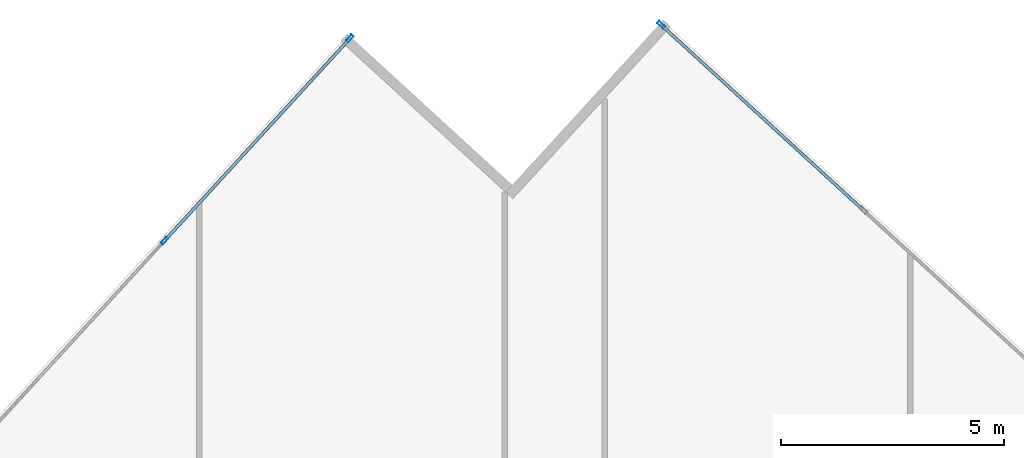
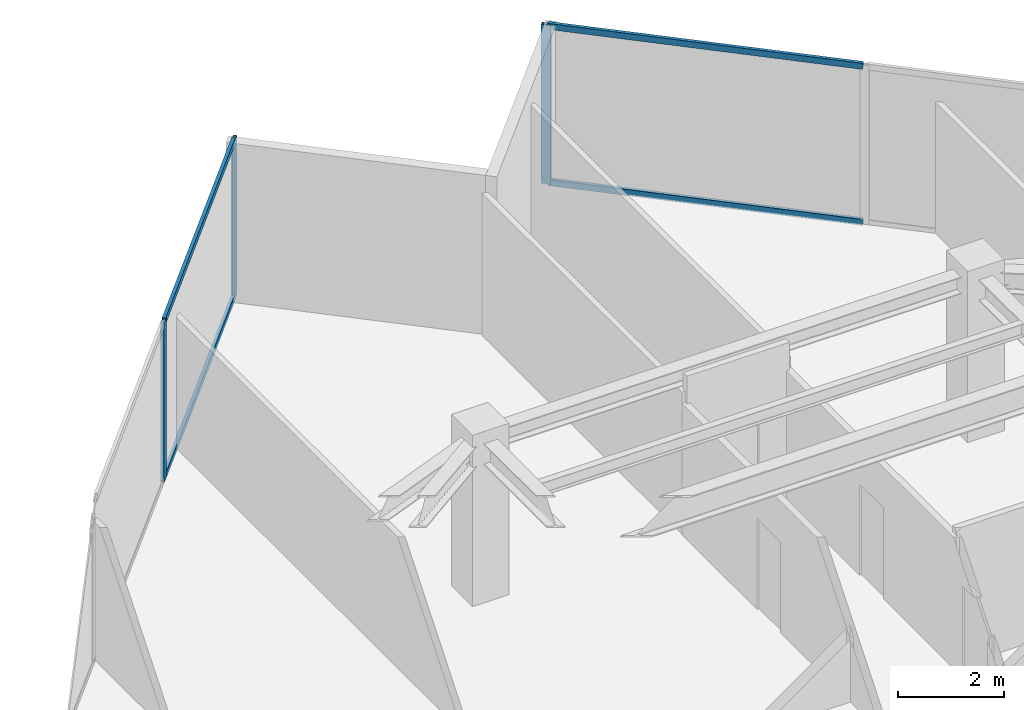
# One storey, part 17 of 26: 7 members, 2 elements without a shape of their own.
"""IFC4 building model written with IfcOpenShell, lengths in metres."""

from ifc_helpers import new_model, si_unit, direction, frame, origin, origin_2d, place, context, subcontext, project, spatial, hollow_rectangle, extrude, source, transform, mapped, material, material_profile, profile_set, type_object, type_shapes, element, aggregate, save


model = new_model("IFC4")

# Units and contexts
model_context = context("Model", 3, precision=1e-05, world=origin(), true_north=direction((0.0, 1.0)))
body_context = subcontext(model_context, "Body", "Model", "MODEL_VIEW")
ifc_project = project(units=[si_unit("LENGTHUNIT", "METRE"), si_unit("AREAUNIT", "SQUARE_METRE"), si_unit("VOLUMEUNIT", "CUBIC_METRE"), si_unit("PLANEANGLEUNIT", "RADIAN"), si_unit("MASSUNIT", "GRAM", prefix="KILO")], contexts=[model_context])

# Site, building, storey
site_placement = place(None, origin())
site = spatial("IfcSite", under=ifc_project, at=site_placement, CompositionType="ELEMENT")
building_placement = place(site_placement, origin())
building = spatial("IfcBuilding", under=site, at=building_placement, Name="Krantzveldt Concourse Tower", CompositionType="ELEMENT")
storey_placement = place(building_placement, frame((0.0, 0.0, 227.050048828125)))
storey = spatial("IfcBuildingStorey", under=building, at=storey_placement, Name="L55", CompositionType="ELEMENT", Elevation=227.050048828125)

# Curtain wall, members
ifc_material = material(Name="Anodised aluminium 6063-T6", Category="aluminium")
curtain_wall_type = type_object("IfcCurtainWallType", Name="CW3", PredefinedType="USERDEFINED", material=ifc_material)
curtain_wall_1_placement = place(storey_placement, origin())
curtain_wall_1 = element("IfcCurtainWall", 1, at=curtain_wall_1_placement, inside=storey, type_object=curtain_wall_type, Name="CW-L55-F01", ObjectType="UNITISED CURTAIN WALL", PredefinedType="USERDEFINED")
ifc_material_profile_1 = material_profile(ifc_material, hollow_rectangle(XDim=0.070068359375, YDim=0.179931640625, WallThickness=0.0048828125, at=origin_2d()), Name="Anodised aluminium 6063-T6", Category="aluminium")
ifc_profile_set_1 = profile_set([ifc_material_profile_1], Name="Anodised aluminium 6063-T6 - ALU-MULL 180x70x5")
member_type_1 = type_object("IfcMemberType", Name="CW-MUL-180", PredefinedType="MULLION", material=ifc_profile_set_1)
shared_shape_1 = source(origin(), body_context, "Body", "SweptSolid", [
    extrude(hollow_rectangle(XDim=0.070068359375, YDim=0.179931640625, WallThickness=0.0048828125, at=origin_2d()), origin(), (0.0, 0.0, 1.0), 3.669921875),
])
type_shapes(member_type_1, [shared_shape_1])
member_1_placement = place(storey_placement, frame((31.400146484375, 51.890869140625, 0.0), z_axis=(0.0, 0.0, 1.0), x_axis=(0.737277477893, -0.675590053651, 0.0)))
member_1 = element("IfcMember", 2, at=member_1_placement, type_object=member_type_1, Name="CW-Z34 mullion 1", PredefinedType="MULLION", context=body_context, shape_type="MappedRepresentation", body=[
    mapped(shared_shape_1, transform((0.0, 0.0, 0.0), x_axis=(1.0, 0.0, 0.0), y_axis=(0.0, 1.0, 0.0), z_axis=(0.0, 0.0, 1.0), scale=1.0)),
])
member_2_placement = place(storey_placement, frame((27.235107421875, 47.345458984375, 0.0), z_axis=(0.0, 0.0, 1.0), x_axis=(0.737277477893, -0.675590053651, 0.0)))
member_2 = element("IfcMember", 3, at=member_2_placement, type_object=member_type_1, Name="CW-Z34 mullion 2", PredefinedType="MULLION", context=body_context, shape_type="MappedRepresentation", body=[
    mapped(shared_shape_1, transform((0.0, 0.0, 0.0), x_axis=(1.0, 0.0, 0.0), y_axis=(0.0, 1.0, 0.0), z_axis=(0.0, 0.0, 1.0), scale=1.0)),
])

# Curtain wall, member
curtain_wall_2_placement = place(storey_placement, origin())
curtain_wall_2 = element("IfcCurtainWall", 4, at=curtain_wall_2_placement, inside=storey, type_object=curtain_wall_type, Name="CW-L55-F14", ObjectType="UNITISED CURTAIN WALL", PredefinedType="USERDEFINED")
member_3_placement = place(storey_placement, frame((38.38671875, 52.19580078125, 0.0), z_axis=(0.0, 0.0, 1.0), x_axis=(-0.675590053651, -0.737277477893, 0.0)))
member_3 = element("IfcMember", 5, at=member_3_placement, type_object=member_type_1, Name="CW-Z34 mullion 6", PredefinedType="MULLION", context=body_context, shape_type="MappedRepresentation", body=[
    mapped(shared_shape_1, transform((0.0, 0.0, 0.0), x_axis=(1.0, 0.0, 0.0), y_axis=(0.0, 1.0, 0.0), z_axis=(0.0, 0.0, 1.0), scale=1.0)),
])

# Member
ifc_material_profile_2 = material_profile(ifc_material, hollow_rectangle(XDim=0.070068359375, YDim=0.139892578125, WallThickness=0.0048828125, at=origin_2d()), Name="Anodised aluminium 6063-T6", Category="aluminium")
ifc_profile_set_2 = profile_set([ifc_material_profile_2], Name="Anodised aluminium 6063-T6 - ALU-TRAN 140x70x5")
member_type_2 = type_object("IfcMemberType", Name="CW-TRN-150", PredefinedType="USERDEFINED", material=ifc_profile_set_2)
shared_shape_2 = source(origin(), body_context, "Body", "SweptSolid", [
    extrude(hollow_rectangle(XDim=0.070068359375, YDim=0.139892578125, WallThickness=0.0048828125, at=origin_2d()), origin(), (0.0, 0.0, 1.0), 6.094970703125),
])
type_shapes(member_type_2, [shared_shape_2])
member_4_placement = place(storey_placement, frame((31.37646484375, 51.864990234375, 0.034912109375), z_axis=(-0.675590390755, -0.737277168993, 0.0), x_axis=(0.737277168993, -0.675590390755, 0.0)))
member_4 = element("IfcMember", 6, at=member_4_placement, type_object=member_type_2, Name="CW-Z34 transom 1.1", ObjectType="TRANSOM", PredefinedType="USERDEFINED", context=body_context, shape_type="MappedRepresentation", body=[
    mapped(shared_shape_2, transform((0.0, 0.0, 0.0), x_axis=(1.0, 0.0, 0.0), y_axis=(0.0, 1.0, 0.0), z_axis=(0.0, 0.0, 1.0), scale=1.0)),
])

member_5_placement = place(storey_placement, frame((31.37646484375, 51.864990234375, 3.635009765625), z_axis=(-0.675590390755, -0.737277168993, 0.0), x_axis=(0.737277168993, -0.675590390755, 0.0)))
member_5 = element("IfcMember", 7, at=member_5_placement, type_object=member_type_2, Name="CW-Z34 transom 1.2", ObjectType="TRANSOM", PredefinedType="USERDEFINED", context=body_context, shape_type="MappedRepresentation", body=[
    mapped(shared_shape_2, transform((0.0, 0.0, 0.0), x_axis=(1.0, 0.0, 0.0), y_axis=(0.0, 1.0, 0.0), z_axis=(0.0, 0.0, 1.0), scale=1.0)),
])

aggregate(curtain_wall_1, [member_1, member_2, member_4, member_5])

member_6_placement = place(storey_placement, frame((42.90625, 48.054443359375, 0.034912109375), z_axis=(-0.737277168993, 0.675590390755, 0.0), x_axis=(-0.675590390755, -0.737277168993, 0.0)))
member_6 = element("IfcMember", 8, at=member_6_placement, type_object=member_type_2, Name="CW-Z34 transom 5.1", ObjectType="TRANSOM", PredefinedType="USERDEFINED", context=body_context, shape_type="MappedRepresentation", body=[
    mapped(shared_shape_2, transform((0.0, 0.0, 0.0), x_axis=(1.0, 0.0, 0.0), y_axis=(0.0, 1.0, 0.0), z_axis=(0.0, 0.0, 1.0), scale=1.0)),
])

member_7_placement = place(storey_placement, frame((42.90625, 48.054443359375, 3.635009765625), z_axis=(-0.737277168993, 0.675590390755, 0.0), x_axis=(-0.675590390755, -0.737277168993, 0.0)))
member_7 = element("IfcMember", 9, at=member_7_placement, type_object=member_type_2, Name="CW-Z34 transom 5.2", ObjectType="TRANSOM", PredefinedType="USERDEFINED", context=body_context, shape_type="MappedRepresentation", body=[
    mapped(shared_shape_2, transform((0.0, 0.0, 0.0), x_axis=(1.0, 0.0, 0.0), y_axis=(0.0, 1.0, 0.0), z_axis=(0.0, 0.0, 1.0), scale=1.0)),
])

aggregate(curtain_wall_2, [member_3, member_6, member_7])

save(model, "model.ifc")
